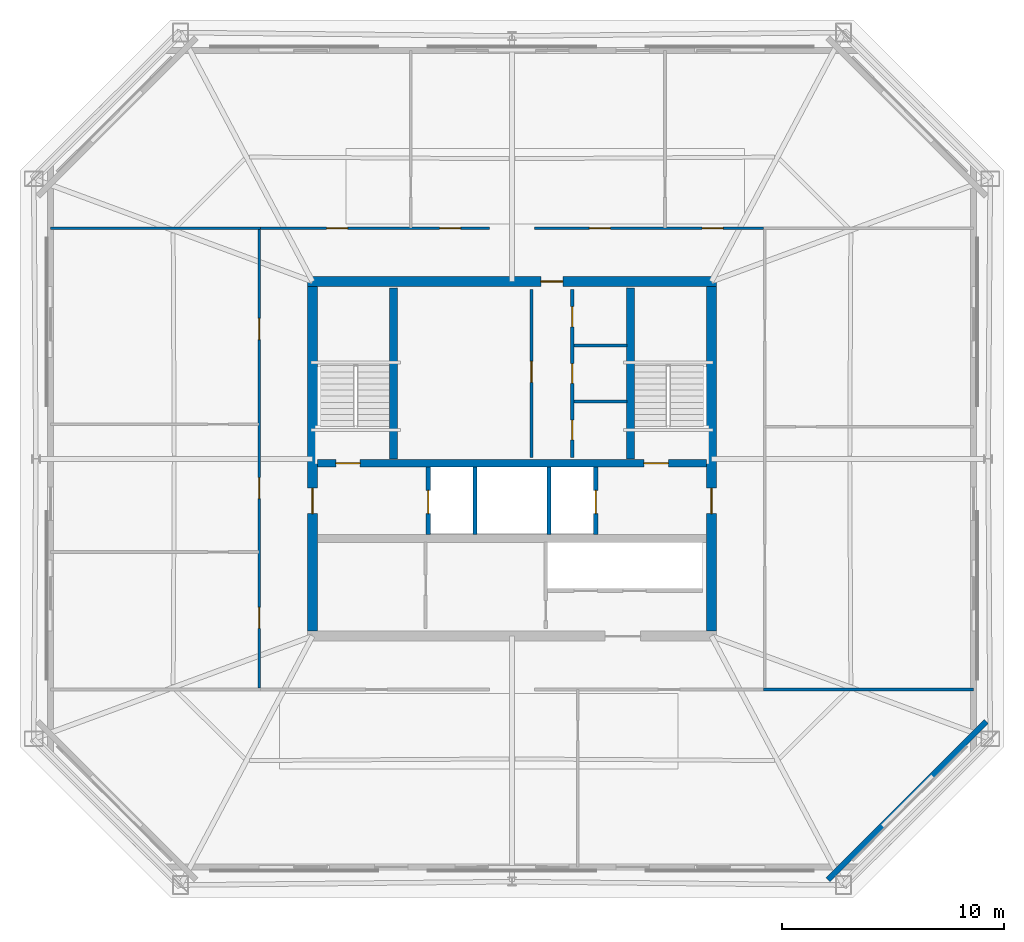
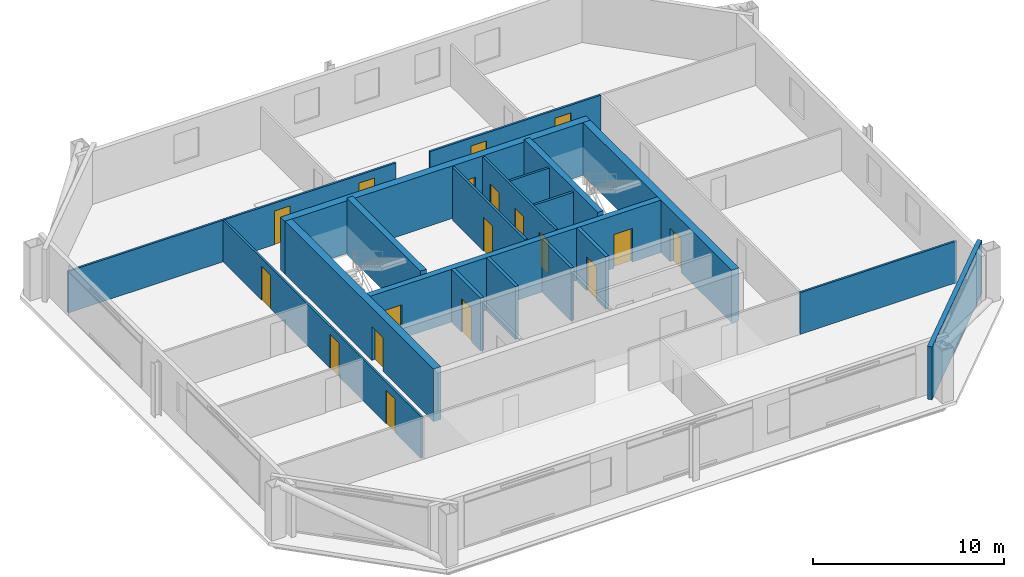
# One storey, part 3 of 6: 20 walls, 18 doors, 18 openings.
"""IFC4 building model written with IfcOpenShell, lengths in metres."""

from ifc_helpers import new_model, si_unit, direction, frame, frame_2d, origin, place, context, subcontext, project, spatial, rectangle, extrude, material, layer, layer_set, type_object, element, fill, save


model = new_model("IFC4")

# Units and contexts
model_context = context("Model", 3, precision=1e-05, world=origin(), true_north=direction((0.0, 1.0)))
body_context = subcontext(model_context, "Body", "Model", "MODEL_VIEW")
ifc_project = project(units=[si_unit("LENGTHUNIT", "METRE"), si_unit("AREAUNIT", "SQUARE_METRE"), si_unit("VOLUMEUNIT", "CUBIC_METRE"), si_unit("PLANEANGLEUNIT", "RADIAN"), si_unit("MASSUNIT", "GRAM", prefix="KILO")], contexts=[model_context])

# Site, building, storey
site_placement = place(None, origin())
site = spatial("IfcSite", under=ifc_project, at=site_placement, CompositionType="ELEMENT")
building_placement = place(site_placement, origin())
building = spatial("IfcBuilding", under=site, at=building_placement, Name="Caelvoria Tower", CompositionType="ELEMENT")
storey_placement = place(building_placement, frame((0.0, 0.0, 202.199951171875)))
storey = spatial("IfcBuildingStorey", under=building, at=storey_placement, Name="L53", CompositionType="ELEMENT", Elevation=202.199951171875)

# Wall, openings, doors
ifc_material_1 = material(Name="Concrete C50/60", Category="concrete")
ifc_layer_1 = layer(ifc_material_1, 0.35009765625, Name="Concrete C50/60")
ifc_layer_set_1 = layer_set([ifc_layer_1], Name="Core Internal Shear Wall 350 - Concrete C50/60")
wall_type_1 = type_object("IfcWallType", Name="Core Internal Shear Wall 350", PredefinedType="SHEAR", material=ifc_layer_set_1)
wall_1_placement = place(storey_placement, frame((37.22509765625, 31.800048828125, 0.0), z_axis=(0.0, 0.0, 1.0), x_axis=(1.0, 0.0, 0.0)))
wall_1 = element("IfcWall", 1, at=wall_1_placement, inside=storey, type_object=wall_type_1, Name="Core Shear Wall L53 M1", PredefinedType="SHEAR", context=body_context, shape_type="SweptSolid", body=[
    extrude(rectangle(XDim=17.5498046875, YDim=0.35009765625, at=frame_2d((8.77490234375, 0.0))), origin(), (0.0, 0.0, 1.0), 3.360107421875),
])
opening_1_placement = place(wall_1_placement, frame((0.824951171875, 0.0, 0.0)))
opening_1 = element("IfcOpeningElement", 2, at=opening_1_placement, cuts=wall_1, Name="Opening ID-01", PredefinedType="OPENING", context=body_context, shape_type="SweptSolid", body=[
    extrude(rectangle(XDim=1.10009765625, YDim=2.14990234375, at=frame_2d((0.550048828125, 1.074951171875))), frame((0.0, 0.18505859375, 0.0), z_axis=(0.0, -1.0, 0.0), x_axis=(1.0, 0.0, 0.0)), (0.0, 0.0, 1.0), 0.3701171875),
])
opening_2_placement = place(wall_1_placement, frame((14.72509765625, 0.0, 0.0)))
opening_2 = element("IfcOpeningElement", 3, at=opening_2_placement, cuts=wall_1, Name="Opening ID-01", PredefinedType="OPENING", context=body_context, shape_type="SweptSolid", body=[
    extrude(rectangle(XDim=1.10009765625, YDim=2.14990234375, at=frame_2d((0.550048828125, 1.074951171875))), frame((0.0, 0.18505859375, 0.0), z_axis=(0.0, -1.0, 0.0), x_axis=(1.0, 0.0, 0.0)), (0.0, 0.0, 1.0), 0.3701171875),
])
ifc_material_2 = material(Name="Painted Hollow Steel Fire Door", Category="steel")
door_type_1 = type_object("IfcDoorType", Name="Fire Door FD90S 1100x2150", OperationType="NOTDEFINED", PredefinedType="DOOR", material=ifc_material_2)
door_1_placement = place(opening_1_placement, origin())
door_1 = element("IfcDoor", 4, at=door_1_placement, inside=storey, type_object=door_type_1, Name="Core Door DR-L53-ST1", OperationType="SINGLE_SWING_LEFT", OverallHeight=2.14990234375, OverallWidth=1.10009765625, PredefinedType="DOOR", context=body_context, shape_type="SweptSolid", body=[
    extrude(rectangle(XDim=1.10009765625, YDim=2.14990234375, at=frame_2d((0.550048828125, 1.074951171875))), frame((0.0, 0.02490234375, 0.0), z_axis=(0.0, -1.0, 0.0), x_axis=(1.0, 0.0, 0.0)), (0.0, 0.0, 1.0), 0.050048828125),
])
fill(opening_1, door_1)
door_2_placement = place(opening_2_placement, origin())
door_2 = element("IfcDoor", 5, at=door_2_placement, inside=storey, type_object=door_type_1, Name="Core Door DR-L53-ST2", OperationType="SINGLE_SWING_RIGHT", OverallHeight=2.14990234375, OverallWidth=1.10009765625, PredefinedType="DOOR", context=body_context, shape_type="SweptSolid", body=[
    extrude(rectangle(XDim=1.10009765625, YDim=2.14990234375, at=frame_2d((0.550048828125, 1.074951171875))), frame((0.0, 0.02490234375, 0.0), z_axis=(0.0, -1.0, 0.0), x_axis=(1.0, 0.0, 0.0)), (0.0, 0.0, 1.0), 0.050048828125),
])
fill(opening_2, door_2)

# Walls
for number, where, z_axis, x_axis, name in (
    (6, (40.64990234375, 32.0, 0.0), (0.0, 0.0, 1.0), (0.0, 1.0, 0.0), "Interior Partition IW-L53-ST1E"),
    (7, (51.35009765625, 32.0, 0.0), (0.0, 0.0, 1.0), (0.0, 1.0, 0.0), "Interior Partition IW-L53-ST2W"),
):
    element("IfcWall", number, at=place(storey_placement, frame(where, z_axis=z_axis, x_axis=x_axis)), inside=storey, type_object=wall_type_1, Name=name, PredefinedType="SHEAR", context=body_context, shape_type="SweptSolid", body=[
        extrude(rectangle(XDim=7.699951171875, YDim=0.35009765625, at=frame_2d((3.85009765625, 0.0))), origin(), (0.0, 0.0, 1.0), 3.60009765625),
    ])

# Wall, opening, door
ifc_material_3 = material(Name="Moisture-Resistant Gypsum on Steel Stud", Category="steel")
ifc_layer_2 = layer(ifc_material_3, 0.139892578125, Name="Moisture-Resistant Gypsum on Steel Stud")
ifc_layer_set_2 = layer_set([ifc_layer_2], Name="Core Sanitary Acoustic Partition Wall 140 - Moisture-Resistant Gypsum on Steel Stud")
wall_type_2 = type_object("IfcWallType", Name="Core Sanitary Acoustic Partition Wall 140", PredefinedType="PARTITIONING", material=ifc_layer_set_2)
wall_2_placement = place(storey_placement, frame((46.8798828125, 32.050048828125, 0.0), z_axis=(0.0, 0.0, 1.0), x_axis=(0.0, 1.0, 0.0)))
wall_2 = element("IfcWall", 8, at=wall_2_placement, inside=storey, type_object=wall_type_2, Name="Interior Partition IW-L53-C2L", PredefinedType="PARTITIONING", context=body_context, shape_type="SweptSolid", body=[
    extrude(rectangle(XDim=7.599853515625, YDim=0.139892578125, at=frame_2d((3.7998046875, 0.0))), origin(), (0.0, 0.0, 1.0), 3.375),
])
opening_3_placement = place(wall_2_placement, frame((3.39990234375, 0.0, 0.0)))
opening_3 = element("IfcOpeningElement", 9, at=opening_3_placement, cuts=wall_2, Name="Opening ID-05", PredefinedType="OPENING", context=body_context, shape_type="SweptSolid", body=[
    extrude(rectangle(XDim=0.949951171875, YDim=2.14990234375, at=frame_2d((0.47509765625, 1.074951171875))), frame((0.0, 0.079833984375, 0.0), z_axis=(0.0, -1.0, 0.0), x_axis=(1.0, 0.0, 0.0)), (0.0, 0.0, 1.0), 0.159912109375),
])
ifc_material_4 = material(Name="Engineered Andean Oak Veneer Door", Category="wood")
door_type_2 = type_object("IfcDoorType", Name="Interior Timber Door 950x2150", OperationType="NOTDEFINED", PredefinedType="DOOR", material=ifc_material_4)
door_3_placement = place(opening_3_placement, origin())
door_3 = element("IfcDoor", 10, at=door_3_placement, inside=storey, type_object=door_type_2, Name="Interior Door DR-L53-C2W", OperationType="SINGLE_SWING_LEFT", OverallHeight=2.14990234375, OverallWidth=0.949951171875, PredefinedType="DOOR", context=body_context, shape_type="SweptSolid", body=[
    extrude(rectangle(XDim=0.949951171875, YDim=2.14990234375, at=frame_2d((0.47509765625, 1.074951171875))), frame((0.0, 0.02490234375, 0.0), z_axis=(0.0, -1.0, 0.0), x_axis=(1.0, 0.0, 0.0)), (0.0, 0.0, 1.0), 0.050048828125),
])
fill(opening_3, door_3)

# Wall, openings, doors
wall_3_placement = place(storey_placement, frame((48.719970703125, 32.050048828125, 0.0), z_axis=(0.0, 0.0, 1.0), x_axis=(0.0, 1.0, 0.0)))
wall_3 = element("IfcWall", 11, at=wall_3_placement, inside=storey, type_object=wall_type_2, Name="Interior Partition IW-L53-C2R", PredefinedType="PARTITIONING", context=body_context, shape_type="SweptSolid", body=[
    extrude(rectangle(XDim=7.599853515625, YDim=0.139892578125, at=frame_2d((3.7998046875, 0.0))), origin(), (0.0, 0.0, 1.0), 3.375),
])
opening_4_placement = place(wall_3_placement, frame((0.800048828125, 0.0, 0.0)))
opening_4 = element("IfcOpeningElement", 12, at=opening_4_placement, cuts=wall_3, Name="Opening ID-04", PredefinedType="OPENING", context=body_context, shape_type="SweptSolid", body=[
    extrude(rectangle(XDim=0.89990234375, YDim=2.14990234375, at=frame_2d((0.449951171875, 1.074951171875))), frame((0.0, 0.079833984375, 0.0), z_axis=(0.0, -1.0, 0.0), x_axis=(1.0, 0.0, 0.0)), (0.0, 0.0, 1.0), 0.159912109375),
])
opening_5_placement = place(wall_3_placement, frame((3.35009765625, 0.0, 0.0)))
opening_5 = element("IfcOpeningElement", 13, at=opening_5_placement, cuts=wall_3, Name="Opening ID-06", PredefinedType="OPENING", context=body_context, shape_type="SweptSolid", body=[
    extrude(rectangle(XDim=0.89990234375, YDim=2.14990234375, at=frame_2d((0.449951171875, 1.074951171875))), frame((0.0, 0.079833984375, 0.0), z_axis=(0.0, -1.0, 0.0), x_axis=(1.0, 0.0, 0.0)), (0.0, 0.0, 1.0), 0.159912109375),
])
opening_6_placement = place(wall_3_placement, frame((5.89990234375, 0.0, 0.0)))
opening_6 = element("IfcOpeningElement", 14, at=opening_6_placement, cuts=wall_3, Name="Opening ID-07", PredefinedType="OPENING", context=body_context, shape_type="SweptSolid", body=[
    extrude(rectangle(XDim=0.919921875, YDim=2.14990234375, at=frame_2d((0.4599609375, 1.074951171875))), frame((0.0, 0.079833984375, 0.0), z_axis=(0.0, -1.0, 0.0), x_axis=(1.0, 0.0, 0.0)), (0.0, 0.0, 1.0), 0.159912109375),
])
ifc_material_5 = material(Name="Engineered Andean Oak Accessible Door", Category="wood")
door_type_3 = type_object("IfcDoorType", Name="Accessible WC Door 950x2150", OperationType="NOTDEFINED", PredefinedType="DOOR", material=ifc_material_5)
door_4_placement = place(opening_6_placement, origin())
door_4 = element("IfcDoor", 15, at=door_4_placement, inside=storey, type_object=door_type_3, Name="Interior Door DR-L53-C2E3", OperationType="SINGLE_SWING_RIGHT", OverallHeight=2.14990234375, OverallWidth=0.919921875, PredefinedType="DOOR", context=body_context, shape_type="SweptSolid", body=[
    extrude(rectangle(XDim=0.919921875, YDim=2.14990234375, at=frame_2d((0.4599609375, 1.074951171875))), frame((0.0, 0.02490234375, 0.0), z_axis=(0.0, -1.0, 0.0), x_axis=(1.0, 0.0, 0.0)), (0.0, 0.0, 1.0), 0.050048828125),
])
fill(opening_6, door_4)
ifc_material_6 = material(Name="Acoustic Timber Fire Door", Category="wood")
door_type_4 = type_object("IfcDoorType", Name="Fire Door FD30S 900x2150", OperationType="NOTDEFINED", PredefinedType="DOOR", material=ifc_material_6)
door_5_placement = place(opening_4_placement, origin())
door_5 = element("IfcDoor", 16, at=door_5_placement, inside=storey, type_object=door_type_4, Name="Interior Door DR-L53-C2E1", OperationType="SINGLE_SWING_RIGHT", OverallHeight=2.14990234375, OverallWidth=0.89990234375, PredefinedType="DOOR", context=body_context, shape_type="SweptSolid", body=[
    extrude(rectangle(XDim=0.89990234375, YDim=2.14990234375, at=frame_2d((0.449951171875, 1.074951171875))), frame((0.0, 0.02490234375, 0.0), z_axis=(0.0, -1.0, 0.0), x_axis=(1.0, 0.0, 0.0)), (0.0, 0.0, 1.0), 0.050048828125),
])
fill(opening_4, door_5)
door_type_5 = type_object("IfcDoorType", Name="Interior Timber Door 900x2150", OperationType="NOTDEFINED", PredefinedType="DOOR", material=ifc_material_4)
door_6_placement = place(opening_5_placement, origin())
door_6 = element("IfcDoor", 17, at=door_6_placement, inside=storey, type_object=door_type_5, Name="Interior Door DR-L53-C2E2", OperationType="SINGLE_SWING_LEFT", OverallHeight=2.14990234375, OverallWidth=0.89990234375, PredefinedType="DOOR", context=body_context, shape_type="SweptSolid", body=[
    extrude(rectangle(XDim=0.89990234375, YDim=2.14990234375, at=frame_2d((0.449951171875, 1.074951171875))), frame((0.0, 0.02490234375, 0.0), z_axis=(0.0, -1.0, 0.0), x_axis=(1.0, 0.0, 0.0)), (0.0, 0.0, 1.0), 0.050048828125),
])
fill(opening_5, door_6)

# Walls
for number, where, z_axis, x_axis, name in (
    (18, (48.800048828125, 34.580078125, 0.0), (0.0, 0.0, 1.0), (1.0, 0.0, 0.0), "Interior Partition IW-L53-C2H1"),
    (19, (48.800048828125, 37.1201171875, 0.0), (0.0, 0.0, 1.0), (1.0, 0.0, 0.0), "Interior Partition IW-L53-C2H2"),
):
    element("IfcWall", number, at=place(storey_placement, frame(where, z_axis=z_axis, x_axis=x_axis)), inside=storey, type_object=wall_type_2, Name=name, PredefinedType="PARTITIONING", context=body_context, shape_type="SweptSolid", body=[
        extrude(rectangle(XDim=2.39990234375, YDim=0.139892578125, at=frame_2d((1.199951171875, 0.0))), origin(), (0.0, 0.0, 1.0), 3.375),
    ])
ifc_material_7 = material(Name="Concrete Block and Fireboard Assembly", Category="concrete")
ifc_layer_3 = layer(ifc_material_7, 0.179931640625, Name="Concrete Block and Fireboard Assembly")
ifc_layer_set_3 = layer_set([ifc_layer_3], Name="Fire-Rated Hoistway Partition Wall 180 - Concrete Block and Fireboard Assembly")
wall_type_3 = type_object("IfcWallType", Name="Fire-Rated Hoistway Partition Wall 180", PredefinedType="PARTITIONING", material=ifc_layer_set_3)
for number, where, z_axis, x_axis, name in (
    (20, (44.320068359375, 28.580078125, 0.0), (0.0, 0.0, 1.0), (0.0, 1.0, 0.0), "Interior Partition IW-L53-SV1W"),
    (21, (47.679931640625, 28.580078125, 0.0), (0.0, 0.0, 1.0), (0.0, 1.0, 0.0), "Interior Partition IW-L53-SV1E"),
):
    element("IfcWall", number, at=place(storey_placement, frame(where, z_axis=z_axis, x_axis=x_axis)), inside=storey, type_object=wall_type_3, Name=name, PredefinedType="PARTITIONING", context=body_context, shape_type="SweptSolid", body=[
        extrude(rectangle(XDim=3.0400390625, YDim=0.179931640625, at=frame_2d((1.52001953125, 0.0))), origin(), (0.0, 0.0, 1.0), 3.375),
    ])

# Wall, opening, door
ifc_layer_4 = layer(ifc_material_7, 0.199951171875, Name="Concrete Block and Fireboard Assembly")
ifc_layer_set_4 = layer_set([ifc_layer_4], Name="Fire-Rated Shaft and Core Partition Wall 200 - Concrete Block and Fireboard Assembly")
wall_type_4 = type_object("IfcWallType", Name="Fire-Rated Shaft and Core Partition Wall 200", PredefinedType="PARTITIONING", material=ifc_layer_set_4)
wall_4_placement = place(storey_placement, frame((42.219970703125, 28.580078125, 0.0), z_axis=(0.0, 0.0, 1.0), x_axis=(0.0, 1.0, 0.0)))
wall_4 = element("IfcWall", 22, at=wall_4_placement, inside=storey, type_object=wall_type_4, Name="Interior Partition IW-L53-LF1W", PredefinedType="PARTITIONING", context=body_context, shape_type="SweptSolid", body=[
    extrude(rectangle(XDim=3.0400390625, YDim=0.199951171875, at=frame_2d((1.52001953125, 0.0))), origin(), (0.0, 0.0, 1.0), 3.375),
])
opening_7_placement = place(wall_4_placement, frame((0.949951171875, 0.0, 0.0)))
opening_7 = element("IfcOpeningElement", 23, at=opening_7_placement, cuts=wall_4, Name="Opening LD-01", PredefinedType="OPENING", context=body_context, shape_type="SweptSolid", body=[
    extrude(rectangle(XDim=1.050048828125, YDim=2.14990234375, at=frame_2d((0.52490234375, 1.074951171875))), frame((0.0, 0.10986328125, 0.0), z_axis=(0.0, -1.0, 0.0), x_axis=(1.0, 0.0, 0.0)), (0.0, 0.0, 1.0), 0.219970703125),
])
ifc_material_8 = material(Name="Brushed Bronze Stainless Sliding Landing Door", Category="aluminium")
door_type_6 = type_object("IfcDoorType", Name="Lift Landing Sliding Door 1100x2150", OperationType="NOTDEFINED", PredefinedType="DOOR", material=ifc_material_8)
door_7_placement = place(opening_7_placement, origin())
door_7 = element("IfcDoor", 24, at=door_7_placement, inside=storey, type_object=door_type_6, Name="Interior Door LD-L53-LF1", OperationType="SLIDING_TO_LEFT", OverallHeight=2.14990234375, OverallWidth=1.050048828125, PredefinedType="DOOR", context=body_context, shape_type="SweptSolid", body=[
    extrude(rectangle(XDim=1.050048828125, YDim=2.14990234375, at=frame_2d((0.52490234375, 1.074951171875))), frame((0.0, 0.02490234375, 0.0), z_axis=(0.0, -1.0, 0.0), x_axis=(1.0, 0.0, 0.0)), (0.0, 0.0, 1.0), 0.050048828125),
])
fill(opening_7, door_7)

wall_5_placement = place(storey_placement, frame((49.780029296875, 28.580078125, 0.0), z_axis=(0.0, 0.0, 1.0), x_axis=(0.0, 1.0, 0.0)))
wall_5 = element("IfcWall", 25, at=wall_5_placement, inside=storey, type_object=wall_type_4, Name="Interior Partition IW-L53-LF2E", PredefinedType="PARTITIONING", context=body_context, shape_type="SweptSolid", body=[
    extrude(rectangle(XDim=3.0400390625, YDim=0.199951171875, at=frame_2d((1.52001953125, 0.0))), origin(), (0.0, 0.0, 1.0), 3.375),
])
opening_8_placement = place(wall_5_placement, frame((0.949951171875, 0.0, 0.0)))
opening_8 = element("IfcOpeningElement", 26, at=opening_8_placement, cuts=wall_5, Name="Opening LD-01", PredefinedType="OPENING", context=body_context, shape_type="SweptSolid", body=[
    extrude(rectangle(XDim=1.050048828125, YDim=2.14990234375, at=frame_2d((0.52490234375, 1.074951171875))), frame((0.0, 0.10986328125, 0.0), z_axis=(0.0, -1.0, 0.0), x_axis=(1.0, 0.0, 0.0)), (0.0, 0.0, 1.0), 0.219970703125),
])
door_8_placement = place(opening_8_placement, origin())
door_8 = element("IfcDoor", 27, at=door_8_placement, inside=storey, type_object=door_type_6, Name="Interior Door LD-L53-LF2", OperationType="SLIDING_TO_RIGHT", OverallHeight=2.14990234375, OverallWidth=1.050048828125, PredefinedType="DOOR", context=body_context, shape_type="SweptSolid", body=[
    extrude(rectangle(XDim=1.050048828125, YDim=2.14990234375, at=frame_2d((0.52490234375, 1.074951171875))), frame((0.0, 0.02490234375, 0.0), z_axis=(0.0, -1.0, 0.0), x_axis=(1.0, 0.0, 0.0)), (0.0, 0.0, 1.0), 0.050048828125),
])
fill(opening_8, door_8)

# Wall, openings, doors
ifc_material_9 = material(Name="Acoustic Gypsum Board on Light-Gauge Stud", Category="gypsum")
ifc_layer_5 = layer(ifc_material_9, 0.1201171875, Name="Acoustic Gypsum Board on Light-Gauge Stud")
ifc_layer_set_5 = layer_set([ifc_layer_5], Name="Tenant Suite Acoustic Partition Wall 120 - Acoustic Gypsum Board on Light-Gauge Stud")
wall_type_5 = type_object("IfcWallType", Name="Tenant Suite Acoustic Partition Wall 120", PredefinedType="PARTITIONING", material=ifc_layer_set_5)
wall_6_placement = place(storey_placement, frame((34.64990234375, 42.409912109375, 0.0), z_axis=(0.0, 0.0, 1.0), x_axis=(1.0, 0.0, 0.0)))
wall_6 = element("IfcWall", 28, at=wall_6_placement, inside=storey, type_object=wall_type_5, Name="Interior Partition IW-L53-NCW-0", PredefinedType="PARTITIONING", context=body_context, shape_type="SweptSolid", body=[
    extrude(rectangle(XDim=10.330078125, YDim=0.1201171875, at=frame_2d((5.1650390625, 0.0))), origin(), (0.0, 0.0, 1.0), 2.655029296875),
])
opening_9_placement = place(wall_6_placement, frame((2.98388671875, 0.0, 0.0)))
opening_9 = element("IfcOpeningElement", 29, at=opening_9_placement, cuts=wall_6, Name="Opening ID-05", PredefinedType="OPENING", context=body_context, shape_type="SweptSolid", body=[
    extrude(rectangle(XDim=0.949951171875, YDim=2.14990234375, at=frame_2d((0.47509765625, 1.074951171875))), frame((0.0, 0.070068359375, 0.0), z_axis=(0.0, -1.0, 0.0), x_axis=(1.0, 0.0, 0.0)), (0.0, 0.0, 1.0), 0.14013671875),
])
opening_10_placement = place(wall_6_placement, frame((8.078857421875, 0.0, 0.0)))
opening_10 = element("IfcOpeningElement", 30, at=opening_10_placement, cuts=wall_6, Name="Opening ID-05", PredefinedType="OPENING", context=body_context, shape_type="SweptSolid", body=[
    extrude(rectangle(XDim=0.949951171875, YDim=2.14990234375, at=frame_2d((0.47509765625, 1.074951171875))), frame((0.0, 0.070068359375, 0.0), z_axis=(0.0, -1.0, 0.0), x_axis=(1.0, 0.0, 0.0)), (0.0, 0.0, 1.0), 0.14013671875),
])
door_9_placement = place(opening_9_placement, origin())
door_9 = element("IfcDoor", 31, at=door_9_placement, inside=storey, type_object=door_type_2, Name="Interior Door DR-L53-NC-00-0", OperationType="SINGLE_SWING_RIGHT", OverallHeight=2.14990234375, OverallWidth=0.949951171875, PredefinedType="DOOR", context=body_context, shape_type="SweptSolid", body=[
    extrude(rectangle(XDim=0.949951171875, YDim=2.14990234375, at=frame_2d((0.47509765625, 1.074951171875))), frame((0.0, 0.02490234375, 0.0), z_axis=(0.0, -1.0, 0.0), x_axis=(1.0, 0.0, 0.0)), (0.0, 0.0, 1.0), 0.050048828125),
])
fill(opening_9, door_9)
door_10_placement = place(opening_10_placement, origin())
door_10 = element("IfcDoor", 32, at=door_10_placement, inside=storey, type_object=door_type_2, Name="Interior Door DR-L53-NC-01-0", OperationType="SINGLE_SWING_LEFT", OverallHeight=2.14990234375, OverallWidth=0.949951171875, PredefinedType="DOOR", context=body_context, shape_type="SweptSolid", body=[
    extrude(rectangle(XDim=0.949951171875, YDim=2.14990234375, at=frame_2d((0.47509765625, 1.074951171875))), frame((0.0, 0.02490234375, 0.0), z_axis=(0.0, -1.0, 0.0), x_axis=(1.0, 0.0, 0.0)), (0.0, 0.0, 1.0), 0.050048828125),
])
fill(opening_10, door_10)

wall_7_placement = place(storey_placement, frame((47.02001953125, 42.409912109375, 0.0), z_axis=(0.0, 0.0, 1.0), x_axis=(1.0, 0.0, 0.0)))
wall_7 = element("IfcWall", 33, at=wall_7_placement, inside=storey, type_object=wall_type_5, Name="Interior Partition IW-L53-NCW-1", PredefinedType="PARTITIONING", context=body_context, shape_type="SweptSolid", body=[
    extrude(rectangle(XDim=10.330078125, YDim=0.1201171875, at=frame_2d((5.1650390625, 0.0))), origin(), (0.0, 0.0, 1.0), 2.655029296875),
])
opening_11_placement = place(wall_7_placement, frame((2.466796875, 0.0, 0.0)))
opening_11 = element("IfcOpeningElement", 34, at=opening_11_placement, cuts=wall_7, Name="Opening ID-05", PredefinedType="OPENING", context=body_context, shape_type="SweptSolid", body=[
    extrude(rectangle(XDim=0.949951171875, YDim=2.14990234375, at=frame_2d((0.47509765625, 1.074951171875))), frame((0.0, 0.070068359375, 0.0), z_axis=(0.0, -1.0, 0.0), x_axis=(1.0, 0.0, 0.0)), (0.0, 0.0, 1.0), 0.14013671875),
])
opening_12_placement = place(wall_7_placement, frame((7.561767578125, 0.0, 0.0)))
opening_12 = element("IfcOpeningElement", 35, at=opening_12_placement, cuts=wall_7, Name="Opening ID-05", PredefinedType="OPENING", context=body_context, shape_type="SweptSolid", body=[
    extrude(rectangle(XDim=0.949951171875, YDim=2.14990234375, at=frame_2d((0.47509765625, 1.074951171875))), frame((0.0, 0.070068359375, 0.0), z_axis=(0.0, -1.0, 0.0), x_axis=(1.0, 0.0, 0.0)), (0.0, 0.0, 1.0), 0.14013671875),
])
door_11_placement = place(opening_11_placement, origin())
door_11 = element("IfcDoor", 36, at=door_11_placement, inside=storey, type_object=door_type_2, Name="Interior Door DR-L53-NC-02-0", OperationType="SINGLE_SWING_RIGHT", OverallHeight=2.14990234375, OverallWidth=0.949951171875, PredefinedType="DOOR", context=body_context, shape_type="SweptSolid", body=[
    extrude(rectangle(XDim=0.949951171875, YDim=2.14990234375, at=frame_2d((0.47509765625, 1.074951171875))), frame((0.0, 0.02490234375, 0.0), z_axis=(0.0, -1.0, 0.0), x_axis=(1.0, 0.0, 0.0)), (0.0, 0.0, 1.0), 0.050048828125),
])
fill(opening_11, door_11)
door_12_placement = place(opening_12_placement, origin())
door_12 = element("IfcDoor", 37, at=door_12_placement, inside=storey, type_object=door_type_2, Name="Interior Door DR-L53-NC-03-0", OperationType="SINGLE_SWING_LEFT", OverallHeight=2.14990234375, OverallWidth=0.949951171875, PredefinedType="DOOR", context=body_context, shape_type="SweptSolid", body=[
    extrude(rectangle(XDim=0.949951171875, YDim=2.14990234375, at=frame_2d((0.47509765625, 1.074951171875))), frame((0.0, 0.02490234375, 0.0), z_axis=(0.0, -1.0, 0.0), x_axis=(1.0, 0.0, 0.0)), (0.0, 0.0, 1.0), 0.050048828125),
])
fill(opening_12, door_12)

wall_8_placement = place(storey_placement, frame((34.590087890625, 21.64990234375, 0.0), z_axis=(0.0, 0.0, 1.0), x_axis=(0.0, 1.0, 0.0)))
wall_8 = element("IfcWall", 38, at=wall_8_placement, inside=storey, type_object=wall_type_5, Name="Interior Partition IW-L53-WCW-0", PredefinedType="PARTITIONING", context=body_context, shape_type="SweptSolid", body=[
    extrude(rectangle(XDim=20.7001953125, YDim=0.1201171875, at=frame_2d((10.35009765625, 0.0))), origin(), (0.0, 0.0, 1.0), 2.655029296875),
])
opening_13_placement = place(wall_8_placement, frame((2.698486328125, 0.0, 0.0)))
opening_13 = element("IfcOpeningElement", 39, at=opening_13_placement, cuts=wall_8, Name="Opening ID-05", PredefinedType="OPENING", context=body_context, shape_type="SweptSolid", body=[
    extrude(rectangle(XDim=0.949951171875, YDim=2.14990234375, at=frame_2d((0.47509765625, 1.074951171875))), frame((0.0, 0.070068359375, 0.0), z_axis=(0.0, -1.0, 0.0), x_axis=(1.0, 0.0, 0.0)), (0.0, 0.0, 1.0), 0.14013671875),
])
opening_14_placement = place(wall_8_placement, frame((8.556396484375, 0.0, 0.0)))
opening_14 = element("IfcOpeningElement", 40, at=opening_14_placement, cuts=wall_8, Name="Opening ID-05", PredefinedType="OPENING", context=body_context, shape_type="SweptSolid", body=[
    extrude(rectangle(XDim=0.949951171875, YDim=2.14990234375, at=frame_2d((0.47509765625, 1.074951171875))), frame((0.0, 0.070068359375, 0.0), z_axis=(0.0, -1.0, 0.0), x_axis=(1.0, 0.0, 0.0)), (0.0, 0.0, 1.0), 0.14013671875),
])
opening_15_placement = place(wall_8_placement, frame((15.73291015625, 0.0, 0.0)))
opening_15 = element("IfcOpeningElement", 41, at=opening_15_placement, cuts=wall_8, Name="Opening ID-05", PredefinedType="OPENING", context=body_context, shape_type="SweptSolid", body=[
    extrude(rectangle(XDim=0.949951171875, YDim=2.14990234375, at=frame_2d((0.47509765625, 1.074951171875))), frame((0.0, 0.070068359375, 0.0), z_axis=(0.0, -1.0, 0.0), x_axis=(1.0, 0.0, 0.0)), (0.0, 0.0, 1.0), 0.14013671875),
])
door_13_placement = place(opening_13_placement, origin())
door_13 = element("IfcDoor", 42, at=door_13_placement, inside=storey, type_object=door_type_2, Name="Interior Door DR-L53-WC-00-0", OperationType="SINGLE_SWING_RIGHT", OverallHeight=2.14990234375, OverallWidth=0.949951171875, PredefinedType="DOOR", context=body_context, shape_type="SweptSolid", body=[
    extrude(rectangle(XDim=0.949951171875, YDim=2.14990234375, at=frame_2d((0.47509765625, 1.074951171875))), frame((0.0, 0.02490234375, 0.0), z_axis=(0.0, -1.0, 0.0), x_axis=(1.0, 0.0, 0.0)), (0.0, 0.0, 1.0), 0.050048828125),
])
fill(opening_13, door_13)
door_14_placement = place(opening_14_placement, origin())
door_14 = element("IfcDoor", 43, at=door_14_placement, inside=storey, type_object=door_type_2, Name="Interior Door DR-L53-WC-01-0", OperationType="SINGLE_SWING_LEFT", OverallHeight=2.14990234375, OverallWidth=0.949951171875, PredefinedType="DOOR", context=body_context, shape_type="SweptSolid", body=[
    extrude(rectangle(XDim=0.949951171875, YDim=2.14990234375, at=frame_2d((0.47509765625, 1.074951171875))), frame((0.0, 0.02490234375, 0.0), z_axis=(0.0, -1.0, 0.0), x_axis=(1.0, 0.0, 0.0)), (0.0, 0.0, 1.0), 0.050048828125),
])
fill(opening_14, door_14)
door_15_placement = place(opening_15_placement, origin())
door_15 = element("IfcDoor", 44, at=door_15_placement, inside=storey, type_object=door_type_2, Name="Interior Door DR-L53-WC-02-0", OperationType="SINGLE_SWING_RIGHT", OverallHeight=2.14990234375, OverallWidth=0.949951171875, PredefinedType="DOOR", context=body_context, shape_type="SweptSolid", body=[
    extrude(rectangle(XDim=0.949951171875, YDim=2.14990234375, at=frame_2d((0.47509765625, 1.074951171875))), frame((0.0, 0.02490234375, 0.0), z_axis=(0.0, -1.0, 0.0), x_axis=(1.0, 0.0, 0.0)), (0.0, 0.0, 1.0), 0.050048828125),
])
fill(opening_15, door_15)

# Walls
for number, where, z_axis, x_axis, name in (
    (45, (57.35009765625, 21.590087890625, 0.0), (0.0, 0.0, 1.0), (1.0, 0.0, 0.0), "Interior Partition IW-L53-BSE-0"),
    (46, (34.64990234375, 42.409912109375, 0.0), (0.0, 0.0, 1.0), (-1.0, 0.0, 0.0), "Interior Partition IW-L53-BNW-0"),
):
    element("IfcWall", number, at=place(storey_placement, frame(where, z_axis=z_axis, x_axis=x_axis)), inside=storey, type_object=wall_type_5, Name=name, PredefinedType="PARTITIONING", context=body_context, shape_type="SweptSolid", body=[
        extrude(rectangle(XDim=9.469970703125, YDim=0.1201171875, at=frame_2d((4.73486328125, 0.0))), origin(), (0.0, 0.0, 1.0), 2.655029296875),
    ])

# Wall, opening, door
ifc_layer_6 = layer(ifc_material_1, 0.449951171875, Name="Concrete C50/60")
ifc_layer_set_6 = layer_set([ifc_layer_6], Name="Upper Core Shear Wall 450 - Concrete C50/60")
wall_type_6 = type_object("IfcWallType", Name="Upper Core Shear Wall 450", PredefinedType="SHEAR", material=ifc_layer_set_6)
wall_9_placement = place(storey_placement, frame((36.77490234375, 40.0, 0.0), z_axis=(0.0, 0.0, 1.0), x_axis=(1.0, 0.0, 0.0)))
wall_9 = element("IfcWall", 47, at=wall_9_placement, inside=storey, type_object=wall_type_6, Name="Core Shear Wall L53 N", PredefinedType="SHEAR", context=body_context, shape_type="SweptSolid", body=[
    extrude(rectangle(XDim=18.4501953125, YDim=0.449951171875, at=frame_2d((9.22509765625, 0.0))), origin(), (0.0, 0.0, 1.0), 3.360107421875),
])
opening_16_placement = place(wall_9_placement, frame((10.52490234375, 0.0, 0.0)))
opening_16 = element("IfcOpeningElement", 48, at=opening_16_placement, cuts=wall_9, Name="Opening ID-03", PredefinedType="OPENING", context=body_context, shape_type="SweptSolid", body=[
    extrude(rectangle(XDim=1.0, YDim=2.14990234375, at=frame_2d((0.5, 1.074951171875))), frame((0.0, 0.23486328125, 0.0), z_axis=(0.0, -1.0, 0.0), x_axis=(1.0, 0.0, 0.0)), (0.0, 0.0, 1.0), 0.469970703125),
])
door_type_7 = type_object("IfcDoorType", Name="Fire Door FD60S 1000x2150", OperationType="NOTDEFINED", PredefinedType="DOOR", material=ifc_material_2)
door_16_placement = place(opening_16_placement, origin())
door_16 = element("IfcDoor", 49, at=door_16_placement, inside=storey, type_object=door_type_7, Name="Core Door DR-L53-WC-MAIN", OperationType="SINGLE_SWING_RIGHT", OverallHeight=2.14990234375, OverallWidth=1.0, PredefinedType="DOOR", context=body_context, shape_type="SweptSolid", body=[
    extrude(rectangle(XDim=1.0, YDim=2.14990234375, at=frame_2d((0.5, 1.074951171875))), frame((0.0, 0.02490234375, 0.0), z_axis=(0.0, -1.0, 0.0), x_axis=(1.0, 0.0, 0.0)), (0.0, 0.0, 1.0), 0.050048828125),
])
fill(opening_16, door_16)

wall_10_placement = place(storey_placement, frame((37.0, 24.22509765625, 0.0), z_axis=(0.0, 0.0, 1.0), x_axis=(0.0, 1.0, 0.0)))
wall_10 = element("IfcWall", 50, at=wall_10_placement, inside=storey, type_object=wall_type_6, Name="Core Shear Wall L53 W", PredefinedType="SHEAR", context=body_context, shape_type="SweptSolid", body=[
    extrude(rectangle(XDim=15.5498046875, YDim=0.449951171875, at=frame_2d((7.77490234375, 0.0))), origin(), (0.0, 0.0, 1.0), 3.360107421875),
])
opening_17_placement = place(wall_10_placement, frame((5.300048828125, 0.0, 0.0)))
opening_17 = element("IfcOpeningElement", 51, at=opening_17_placement, cuts=wall_10, Name="Opening ID-02", PredefinedType="OPENING", context=body_context, shape_type="SweptSolid", body=[
    extrude(rectangle(XDim=1.14990234375, YDim=2.14990234375, at=frame_2d((0.574951171875, 1.074951171875))), frame((0.0, 0.23486328125, 0.0), z_axis=(0.0, -1.0, 0.0), x_axis=(1.0, 0.0, 0.0)), (0.0, 0.0, 1.0), 0.469970703125),
])
door_type_8 = type_object("IfcDoorType", Name="Fire Door FD60S 1150x2150", OperationType="NOTDEFINED", PredefinedType="DOOR", material=ifc_material_2)
door_17_placement = place(opening_17_placement, origin())
door_17 = element("IfcDoor", 52, at=door_17_placement, inside=storey, type_object=door_type_8, Name="Core Door DR-L53-FFLW-OUT", OperationType="SINGLE_SWING_LEFT", OverallHeight=2.14990234375, OverallWidth=1.14990234375, PredefinedType="DOOR", context=body_context, shape_type="SweptSolid", body=[
    extrude(rectangle(XDim=1.14990234375, YDim=2.14990234375, at=frame_2d((0.574951171875, 1.074951171875))), frame((0.0, 0.02490234375, 0.0), z_axis=(0.0, -1.0, 0.0), x_axis=(1.0, 0.0, 0.0)), (0.0, 0.0, 1.0), 0.050048828125),
])
fill(opening_17, door_17)

wall_11_placement = place(storey_placement, frame((55.0, 24.22509765625, 0.0), z_axis=(0.0, 0.0, 1.0), x_axis=(0.0, 1.0, 0.0)))
wall_11 = element("IfcWall", 53, at=wall_11_placement, inside=storey, type_object=wall_type_6, Name="Core Shear Wall L53 E", PredefinedType="SHEAR", context=body_context, shape_type="SweptSolid", body=[
    extrude(rectangle(XDim=15.5498046875, YDim=0.449951171875, at=frame_2d((7.77490234375, 0.0))), origin(), (0.0, 0.0, 1.0), 3.360107421875),
])
opening_18_placement = place(wall_11_placement, frame((5.300048828125, 0.0, 0.0)))
opening_18 = element("IfcOpeningElement", 54, at=opening_18_placement, cuts=wall_11, Name="Opening ID-02", PredefinedType="OPENING", context=body_context, shape_type="SweptSolid", body=[
    extrude(rectangle(XDim=1.14990234375, YDim=2.14990234375, at=frame_2d((0.574951171875, 1.074951171875))), frame((0.0, 0.23486328125, 0.0), z_axis=(0.0, -1.0, 0.0), x_axis=(1.0, 0.0, 0.0)), (0.0, 0.0, 1.0), 0.469970703125),
])
door_18_placement = place(opening_18_placement, origin())
door_18 = element("IfcDoor", 55, at=door_18_placement, inside=storey, type_object=door_type_8, Name="Core Door DR-L53-FFLE-OUT", OperationType="SINGLE_SWING_RIGHT", OverallHeight=2.14990234375, OverallWidth=1.14990234375, PredefinedType="DOOR", context=body_context, shape_type="SweptSolid", body=[
    extrude(rectangle(XDim=1.14990234375, YDim=2.14990234375, at=frame_2d((0.574951171875, 1.074951171875))), frame((0.0, 0.02490234375, 0.0), z_axis=(0.0, -1.0, 0.0), x_axis=(1.0, 0.0, 0.0)), (0.0, 0.0, 1.0), 0.050048828125),
])
fill(opening_18, door_18)

# Wall
ifc_material_10 = material(Name="Precast Concrete C40/50 with Bronze Cladding", Category="concrete")
ifc_layer_7 = layer(ifc_material_10, 0.264892578125, Name="Precast Concrete C40/50 with Bronze Cladding")
ifc_layer_set_7 = layer_set([ifc_layer_7], Name="Upper Taper Precast Concrete C40/50 Bronze Facade Wall 265 - Precast Concrete C40/50 with Bronze Cladding")
wall_type_7 = type_object("IfcWallType", Name="Upper Taper Precast Concrete C40/50 Bronze Facade Wall 265", PredefinedType="STANDARD", material=ifc_layer_set_7)
wall_12_placement = place(storey_placement, frame((60.25439453125, 13.006103515625, 0.0), z_axis=(0.0, 0.0, 1.0), x_axis=(0.707106781187, 0.707106781187, 0.0)))
element("IfcWall", 56, at=wall_12_placement, inside=storey, type_object=wall_type_7, Name="Exterior Facade Wall L53-E1", PredefinedType="STANDARD", context=body_context, shape_type="SweptSolid", body=[
    extrude(rectangle(XDim=10.0966796875, YDim=0.264892578125, at=frame_2d((5.04833984375, 0.0))), origin(), (0.0, 0.0, 1.0), 3.375),
])

save(model, "model.ifc")
